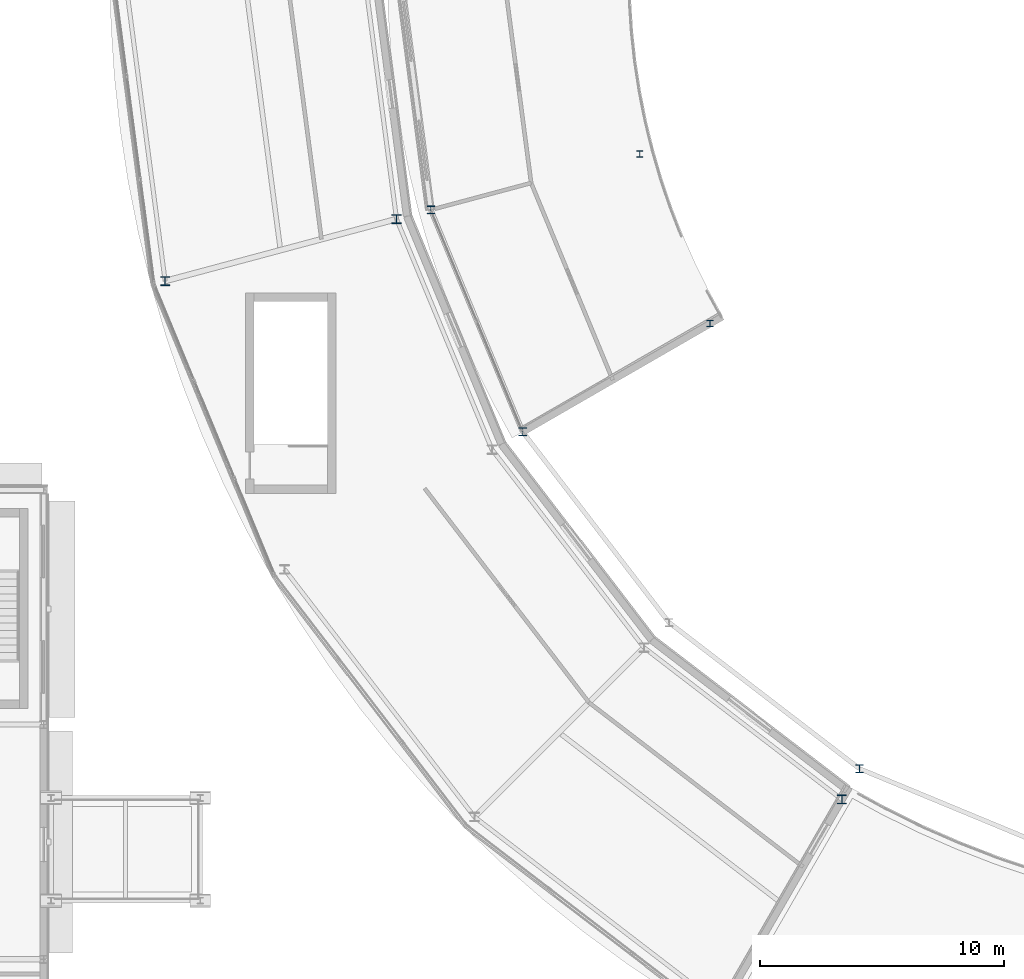
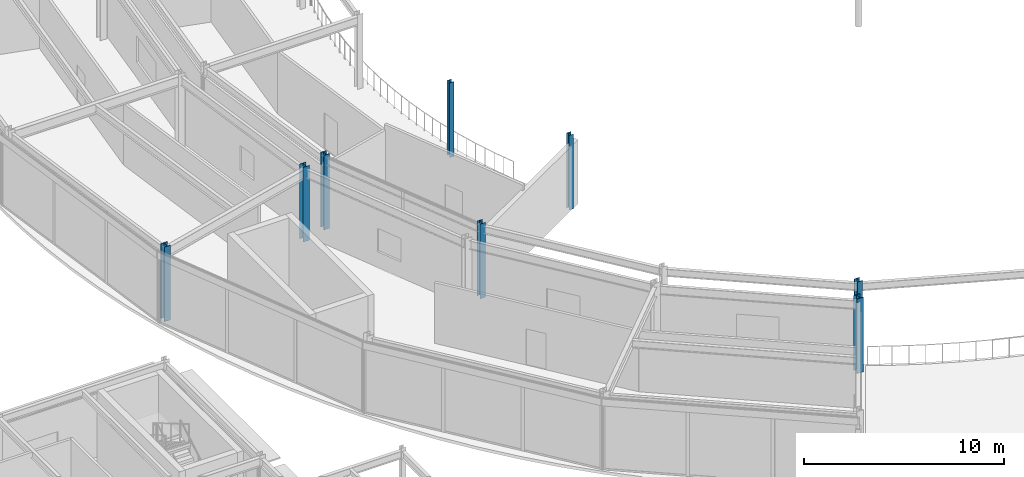
# One storey, part 4 of 157: 8 columns.
"""IFC4 building model written with IfcOpenShell, lengths in metres."""

from ifc_helpers import new_model, si_unit, direction, frame, origin, origin_2d, place, context, subcontext, project, spatial, i_section, extrude, material, material_profile, profile_set, type_object, element, save


model = new_model("IFC4")

# Units and contexts
model_context = context("Model", 3, precision=1e-05, world=origin(), true_north=direction((0.0, 1.0)))
body_context = subcontext(model_context, "Body", "Model", "MODEL_VIEW")
ifc_project = project(units=[si_unit("LENGTHUNIT", "METRE"), si_unit("AREAUNIT", "SQUARE_METRE"), si_unit("VOLUMEUNIT", "CUBIC_METRE"), si_unit("PLANEANGLEUNIT", "RADIAN"), si_unit("MASSUNIT", "GRAM", prefix="KILO")], contexts=[model_context])

# Site, building, storey
site_placement = place(None, origin())
site = spatial("IfcSite", under=ifc_project, at=site_placement, CompositionType="ELEMENT")
building_placement = place(site_placement, origin())
building = spatial("IfcBuilding", under=site, at=building_placement, Name="Almandine Court Research Institute", CompositionType="ELEMENT")
storey_placement = place(building_placement, frame((0.0, 0.0, 5.25)))
storey = spatial("IfcBuildingStorey", under=building, at=storey_placement, Name="L01", CompositionType="ELEMENT", Elevation=5.25)

# Columns
ifc_material = material(Name="Steel ASTM A992 Grade 50", Category="steel")
ifc_material_profile_1 = material_profile(ifc_material, i_section(OverallWidth=0.373046875, OverallDepth=0.367919921875, WebThickness=0.01708984375, FlangeThickness=0.027099609375, at=origin_2d()), Name="W360x179")
ifc_profile_set_1 = profile_set([ifc_material_profile_1], Name="Steel ASTM A992 Grade 50")
column_type_1 = type_object("IfcColumnType", Name="Col-C-W03-E", PredefinedType="COLUMN", material=ifc_profile_set_1)
for number, where, z_axis, x_axis, name in (
    (1, (49.23193359375, 45.8798828125, 0.0), (0.0, 0.0, 1.0), (1.0, 0.0, 0.0), "L01 V5 Column V5-IN-S13"),
    (2, (39.76611328125, 43.343994140625, 0.0), (0.0, 0.0, 1.0), (1.0, 0.0, 0.0), "L01 V5 Column V5-OUT-S13"),
    (3, (67.449951171875, 22.137939453125, 0.0), (0.0, 0.0, 1.0), (1.0, 0.0, 0.0), "L01 V5 Column V5-IN-S16"),
):
    element("IfcColumn", number, at=place(storey_placement, frame(where, z_axis=z_axis, x_axis=x_axis)), inside=storey, type_object=column_type_1, Name=name, PredefinedType="COLUMN", context=body_context, shape_type="SweptSolid", body=[
        extrude(i_section(OverallWidth=0.373046875, OverallDepth=0.367919921875, WebThickness=0.01708984375, FlangeThickness=0.027099609375, at=origin_2d()), origin(), (0.0, 0.0, 1.0), 4.550048828125),
    ])
ifc_material_profile_2 = material_profile(ifc_material, i_section(OverallWidth=0.31005859375, OverallDepth=0.326904296875, WebThickness=0.01611328125, FlangeThickness=0.02490234375, at=origin_2d()), Name="W310x158")
ifc_profile_set_2 = profile_set([ifc_material_profile_2], Name="Steel ASTM A992 Grade 50")
column_type_2 = type_object("IfcColumnType", Name="Col-C-W06", PredefinedType="COLUMN", material=ifc_profile_set_2)
for number, where, z_axis, x_axis, name in (
    (4, (50.633056640625, 46.2548828125, 0.0), (0.0, 0.0, 1.0), (1.0, 0.0, 0.0), "L01 V2 Column V2-OUT-S13"),
    (5, (54.39404296875, 37.175048828125, 0.0), (0.0, 0.0, 1.0), (1.0, 0.0, 0.0), "L01 V2 Column V2-OUT-S14"),
    (6, (68.175048828125, 23.39404296875, 0.0), (0.0, 0.0, 1.0), (1.0, 0.0, 0.0), "L01 V2 Column V2-OUT-S16"),
):
    element("IfcColumn", number, at=place(storey_placement, frame(where, z_axis=z_axis, x_axis=x_axis)), inside=storey, type_object=column_type_2, Name=name, PredefinedType="COLUMN", context=body_context, shape_type="SweptSolid", body=[
        extrude(i_section(OverallWidth=0.31005859375, OverallDepth=0.326904296875, WebThickness=0.01611328125, FlangeThickness=0.02490234375, at=origin_2d()), origin(), (0.0, 0.0, 1.0), 4.550048828125),
    ])
ifc_material_profile_3 = material_profile(ifc_material, i_section(OverallWidth=0.257080078125, OverallDepth=0.263916015625, WebThickness=0.011962890625, FlangeThickness=0.02001953125, at=origin_2d()), Name="W250x101")
ifc_profile_set_3 = profile_set([ifc_material_profile_3], Name="Steel ASTM A992 Grade 50")
column_type_3 = type_object("IfcColumnType", Name="Col-C-W09", PredefinedType="COLUMN", material=ifc_profile_set_3)
for number, where, z_axis, x_axis, name in (
    (7, (59.180908203125, 48.5458984375, 0.0), (0.0, 0.0, 1.0), (1.0, 0.0, 0.0), "L01 V2 Column V2-MID-S13"),
    (8, (62.05810546875, 41.60009765625, 0.0), (0.0, 0.0, 1.0), (1.0, 0.0, 0.0), "L01 V2 Column V2-MID-S14"),
):
    element("IfcColumn", number, at=place(storey_placement, frame(where, z_axis=z_axis, x_axis=x_axis)), inside=storey, type_object=column_type_3, Name=name, PredefinedType="COLUMN", context=body_context, shape_type="SweptSolid", body=[
        extrude(i_section(OverallWidth=0.257080078125, OverallDepth=0.263916015625, WebThickness=0.011962890625, FlangeThickness=0.02001953125, at=origin_2d()), origin(), (0.0, 0.0, 1.0), 4.550048828125),
    ])

save(model, "model.ifc")
